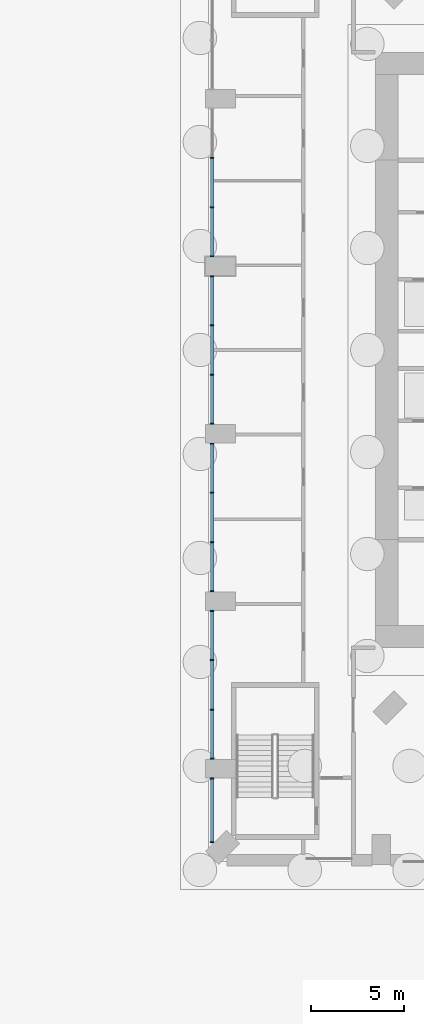
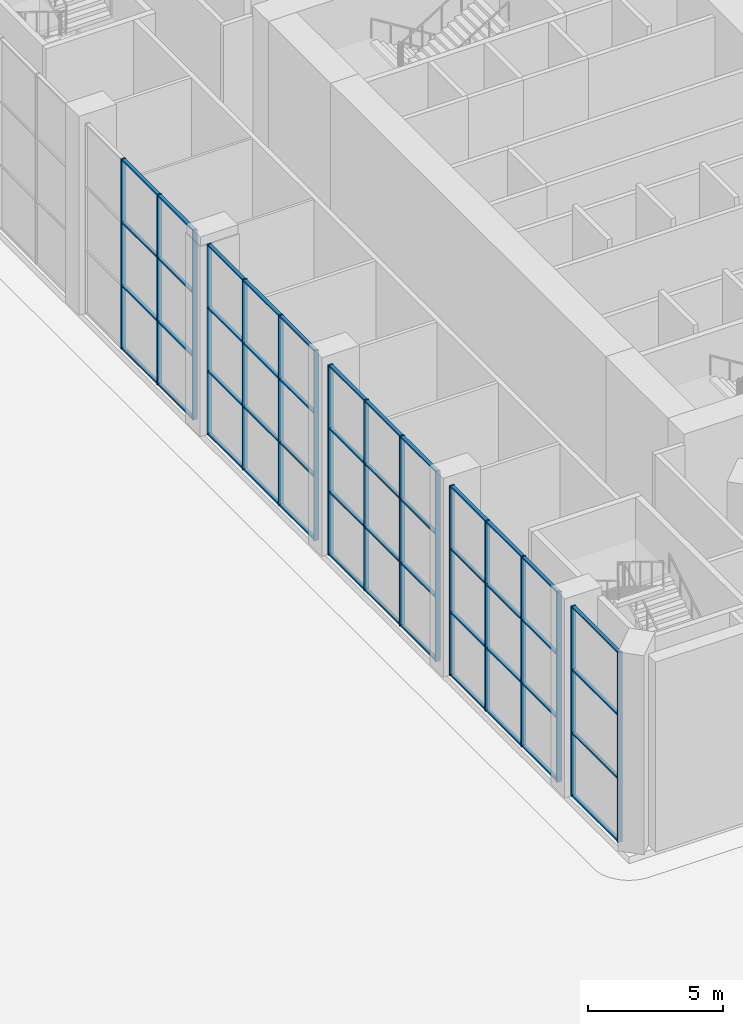
# One storey, part 2 of 25: 65 members, 5 elements without a shape of their own.
"""IFC4 building model written with IfcOpenShell, lengths in metres."""

from ifc_helpers import new_model, si_unit, direction, frame, origin, origin_2d, place, context, subcontext, project, spatial, rectangle, extrude, material, material_profile, profile_set, type_object, element, aggregate, save


model = new_model("IFC4")

# Units and contexts
model_context = context("Model", 3, precision=1e-05, world=origin(), true_north=direction((0.0, 1.0)))
body_context = subcontext(model_context, "Body", "Model", "MODEL_VIEW")
ifc_project = project(units=[si_unit("LENGTHUNIT", "METRE"), si_unit("AREAUNIT", "SQUARE_METRE"), si_unit("VOLUMEUNIT", "CUBIC_METRE"), si_unit("PLANEANGLEUNIT", "RADIAN"), si_unit("MASSUNIT", "GRAM", prefix="KILO")], contexts=[model_context])

# Site, building, storey
site_placement = place(None, origin())
site = spatial("IfcSite", under=ifc_project, at=site_placement, CompositionType="ELEMENT")
building_placement = place(site_placement, origin())
building = spatial("IfcBuilding", under=site, at=building_placement, Name="Cypress Arch Tower", CompositionType="ELEMENT")
storey_placement = place(building_placement, origin())
storey = spatial("IfcBuildingStorey", under=building, at=storey_placement, Name="L00", CompositionType="ELEMENT", Elevation=0.0)

# Curtain wall, members
ifc_material_1 = material(Name="Anodised aluminium, bronze finish, clear laminated low-emissivity double glazing", Category="aluminium")
curtain_wall_type = type_object("IfcCurtainWallType", Name="Curtain wall CW1 ground storefront", PredefinedType="NOTDEFINED", material=ifc_material_1)
curtain_wall_1_placement = place(storey_placement, origin())
curtain_wall_1 = element("IfcCurtainWall", 1, at=curtain_wall_1_placement, inside=storey, type_object=curtain_wall_type, Name="Curtain wall L00 P04.2.1", PredefinedType="NOTDEFINED")
ifc_material_2 = material(Name="Anodised aluminium, bronze finish", Category="aluminium")
ifc_material_profile_1 = material_profile(ifc_material_2, rectangle(XDim=0.199951171875, YDim=0.06494140625, at=origin_2d()), Name="Mullion 65x200")
ifc_profile_set_1 = profile_set([ifc_material_profile_1], Name="Anodised aluminium, bronze finish")
member_type_1 = type_object("IfcMemberType", Name="Mullion CW1 65x200", PredefinedType="MULLION", material=ifc_profile_set_1)
member_1_placement = place(storey_placement, frame((-38.800048828125, 10.333251953125, 0.0), z_axis=(0.0, 0.0, 1.0), x_axis=(1.0, 0.0, 0.0)))
member_1 = element("IfcMember", 2, at=member_1_placement, type_object=member_type_1, Name="CW1 mullion 2", PredefinedType="MULLION", context=body_context, shape_type="SweptSolid", body=[
    extrude(rectangle(XDim=0.199951171875, YDim=0.06494140625, at=origin_2d()), origin(), (0.0, 0.0, 1.0), 8.60009765625),
])
member_2_placement = place(storey_placement, frame((-38.800048828125, 7.666748046875, 0.0), z_axis=(0.0, 0.0, 1.0), x_axis=(1.0, 0.0, 0.0)))
member_2 = element("IfcMember", 3, at=member_2_placement, type_object=member_type_1, Name="CW1 mullion 3", PredefinedType="MULLION", context=body_context, shape_type="SweptSolid", body=[
    extrude(rectangle(XDim=0.199951171875, YDim=0.06494140625, at=origin_2d()), origin(), (0.0, 0.0, 1.0), 8.60009765625),
])
member_3_placement = place(storey_placement, frame((-38.800048828125, 5.032470703125, 0.0), z_axis=(0.0, 0.0, 1.0), x_axis=(1.0, 0.0, 0.0)))
member_3 = element("IfcMember", 4, at=member_3_placement, type_object=member_type_1, Name="CW1 mullion 4", PredefinedType="MULLION", context=body_context, shape_type="SweptSolid", body=[
    extrude(rectangle(XDim=0.199951171875, YDim=0.06494140625, at=origin_2d()), origin(), (0.0, 0.0, 1.0), 8.60009765625),
])

curtain_wall_2_placement = place(storey_placement, origin())
curtain_wall_2 = element("IfcCurtainWall", 5, at=curtain_wall_2_placement, inside=storey, type_object=curtain_wall_type, Name="Curtain wall L00 P04.3.1", PredefinedType="NOTDEFINED")
member_4_placement = place(storey_placement, frame((-38.800048828125, 3.967529296875, 0.0), z_axis=(0.0, 0.0, 1.0), x_axis=(1.0, 0.0, 0.0)))
member_4 = element("IfcMember", 6, at=member_4_placement, type_object=member_type_1, Name="CW1 mullion 1", PredefinedType="MULLION", context=body_context, shape_type="SweptSolid", body=[
    extrude(rectangle(XDim=0.199951171875, YDim=0.06494140625, at=origin_2d()), origin(), (0.0, 0.0, 1.0), 8.60009765625),
])
member_5_placement = place(storey_placement, frame((-38.800048828125, 1.333251953125, 0.0), z_axis=(0.0, 0.0, 1.0), x_axis=(1.0, 0.0, 0.0)))
member_5 = element("IfcMember", 7, at=member_5_placement, type_object=member_type_1, Name="CW1 mullion 2", PredefinedType="MULLION", context=body_context, shape_type="SweptSolid", body=[
    extrude(rectangle(XDim=0.199951171875, YDim=0.06494140625, at=origin_2d()), origin(), (0.0, 0.0, 1.0), 8.60009765625),
])
member_6_placement = place(storey_placement, frame((-38.800048828125, -1.333251953125, 0.0), z_axis=(0.0, 0.0, 1.0), x_axis=(1.0, 0.0, 0.0)))
member_6 = element("IfcMember", 8, at=member_6_placement, type_object=member_type_1, Name="CW1 mullion 3", PredefinedType="MULLION", context=body_context, shape_type="SweptSolid", body=[
    extrude(rectangle(XDim=0.199951171875, YDim=0.06494140625, at=origin_2d()), origin(), (0.0, 0.0, 1.0), 8.60009765625),
])
member_7_placement = place(storey_placement, frame((-38.800048828125, -3.967529296875, 0.0), z_axis=(0.0, 0.0, 1.0), x_axis=(1.0, 0.0, 0.0)))
member_7 = element("IfcMember", 9, at=member_7_placement, type_object=member_type_1, Name="CW1 mullion 4", PredefinedType="MULLION", context=body_context, shape_type="SweptSolid", body=[
    extrude(rectangle(XDim=0.199951171875, YDim=0.06494140625, at=origin_2d()), origin(), (0.0, 0.0, 1.0), 8.60009765625),
])

curtain_wall_3_placement = place(storey_placement, origin())
curtain_wall_3 = element("IfcCurtainWall", 10, at=curtain_wall_3_placement, inside=storey, type_object=curtain_wall_type, Name="Curtain wall L00 P04.4.1", PredefinedType="NOTDEFINED")
member_8_placement = place(storey_placement, frame((-38.800048828125, -5.032470703125, 0.0), z_axis=(0.0, 0.0, 1.0), x_axis=(1.0, 0.0, 0.0)))
member_8 = element("IfcMember", 11, at=member_8_placement, type_object=member_type_1, Name="CW1 mullion 1", PredefinedType="MULLION", context=body_context, shape_type="SweptSolid", body=[
    extrude(rectangle(XDim=0.199951171875, YDim=0.06494140625, at=origin_2d()), origin(), (0.0, 0.0, 1.0), 8.60009765625),
])
member_9_placement = place(storey_placement, frame((-38.800048828125, -7.666748046875, 0.0), z_axis=(0.0, 0.0, 1.0), x_axis=(1.0, 0.0, 0.0)))
member_9 = element("IfcMember", 12, at=member_9_placement, type_object=member_type_1, Name="CW1 mullion 2", PredefinedType="MULLION", context=body_context, shape_type="SweptSolid", body=[
    extrude(rectangle(XDim=0.199951171875, YDim=0.06494140625, at=origin_2d()), origin(), (0.0, 0.0, 1.0), 8.60009765625),
])
member_10_placement = place(storey_placement, frame((-38.800048828125, -10.333251953125, 0.0), z_axis=(0.0, 0.0, 1.0), x_axis=(1.0, 0.0, 0.0)))
member_10 = element("IfcMember", 13, at=member_10_placement, type_object=member_type_1, Name="CW1 mullion 3", PredefinedType="MULLION", context=body_context, shape_type="SweptSolid", body=[
    extrude(rectangle(XDim=0.199951171875, YDim=0.06494140625, at=origin_2d()), origin(), (0.0, 0.0, 1.0), 8.60009765625),
])
member_11_placement = place(storey_placement, frame((-38.800048828125, -12.967529296875, 0.0), z_axis=(0.0, 0.0, 1.0), x_axis=(1.0, 0.0, 0.0)))
member_11 = element("IfcMember", 14, at=member_11_placement, type_object=member_type_1, Name="CW1 mullion 4", PredefinedType="MULLION", context=body_context, shape_type="SweptSolid", body=[
    extrude(rectangle(XDim=0.199951171875, YDim=0.06494140625, at=origin_2d()), origin(), (0.0, 0.0, 1.0), 8.60009765625),
])

curtain_wall_4_placement = place(storey_placement, origin())
curtain_wall_4 = element("IfcCurtainWall", 15, at=curtain_wall_4_placement, inside=storey, type_object=curtain_wall_type, Name="Curtain wall L00 P04.5.1", PredefinedType="NOTDEFINED")
member_12_placement = place(storey_placement, frame((-38.800048828125, -14.032470703125, 0.0), z_axis=(0.0, 0.0, 1.0), x_axis=(1.0, 0.0, 0.0)))
member_12 = element("IfcMember", 16, at=member_12_placement, type_object=member_type_1, Name="CW1 mullion 1", PredefinedType="MULLION", context=body_context, shape_type="SweptSolid", body=[
    extrude(rectangle(XDim=0.199951171875, YDim=0.06494140625, at=origin_2d()), origin(), (0.0, 0.0, 1.0), 8.60009765625),
])
member_13_placement = place(storey_placement, frame((-38.800048828125, -16.666748046875, 0.0), z_axis=(0.0, 0.0, 1.0), x_axis=(1.0, 0.0, 0.0)))
member_13 = element("IfcMember", 17, at=member_13_placement, type_object=member_type_1, Name="CW1 mullion 2", PredefinedType="MULLION", context=body_context, shape_type="SweptSolid", body=[
    extrude(rectangle(XDim=0.199951171875, YDim=0.06494140625, at=origin_2d()), origin(), (0.0, 0.0, 1.0), 8.60009765625),
])
member_14_placement = place(storey_placement, frame((-38.800048828125, -19.333251953125, 0.0), z_axis=(0.0, 0.0, 1.0), x_axis=(1.0, 0.0, 0.0)))
member_14 = element("IfcMember", 18, at=member_14_placement, type_object=member_type_1, Name="CW1 mullion 3", PredefinedType="MULLION", context=body_context, shape_type="SweptSolid", body=[
    extrude(rectangle(XDim=0.199951171875, YDim=0.06494140625, at=origin_2d()), origin(), (0.0, 0.0, 1.0), 8.60009765625),
])
member_15_placement = place(storey_placement, frame((-38.800048828125, -21.967529296875, 0.0), z_axis=(0.0, 0.0, 1.0), x_axis=(1.0, 0.0, 0.0)))
member_15 = element("IfcMember", 19, at=member_15_placement, type_object=member_type_1, Name="CW1 mullion 4", PredefinedType="MULLION", context=body_context, shape_type="SweptSolid", body=[
    extrude(rectangle(XDim=0.199951171875, YDim=0.06494140625, at=origin_2d()), origin(), (0.0, 0.0, 1.0), 8.60009765625),
])

curtain_wall_5_placement = place(storey_placement, origin())
curtain_wall_5 = element("IfcCurtainWall", 20, at=curtain_wall_5_placement, inside=storey, type_object=curtain_wall_type, Name="Curtain wall L00 P04.6.1", PredefinedType="NOTDEFINED")
member_16_placement = place(storey_placement, frame((-38.800048828125, -23.032470703125, 0.0), z_axis=(0.0, 0.0, 1.0), x_axis=(1.0, 0.0, 0.0)))
member_16 = element("IfcMember", 21, at=member_16_placement, type_object=member_type_1, Name="CW1 mullion 1", PredefinedType="MULLION", context=body_context, shape_type="SweptSolid", body=[
    extrude(rectangle(XDim=0.199951171875, YDim=0.06494140625, at=origin_2d()), origin(), (0.0, 0.0, 1.0), 8.60009765625),
])
member_17_placement = place(storey_placement, frame((-38.800048828125, -26.46044921875, 0.0), z_axis=(0.0, 0.0, 1.0), x_axis=(1.0, 0.0, 0.0)))
member_17 = element("IfcMember", 22, at=member_17_placement, type_object=member_type_1, Name="CW1 mullion 2", PredefinedType="MULLION", context=body_context, shape_type="SweptSolid", body=[
    extrude(rectangle(XDim=0.199951171875, YDim=0.06494140625, at=origin_2d()), origin(), (0.0, 0.0, 1.0), 8.60009765625),
])

# Member
ifc_material_3 = material(Name="Anodised aluminium, bronze finish", Category="aluminium")
ifc_material_profile_2 = material_profile(ifc_material_3, rectangle(XDim=0.14990234375, YDim=0.06494140625, at=origin_2d()), Name="Transom 65x150")
ifc_profile_set_2 = profile_set([ifc_material_profile_2], Name="Anodised aluminium, bronze finish")
member_type_2 = type_object("IfcMemberType", Name="Transom CW1 65x150", PredefinedType="USERDEFINED", material=ifc_profile_set_2)
member_18_placement = place(storey_placement, frame((-38.800048828125, 10.30078125, 0.032470703125), z_axis=(0.0, -1.0, 0.0), x_axis=(1.0, 0.0, 0.0)))
member_18 = element("IfcMember", 23, at=member_18_placement, type_object=member_type_2, Name="CW1 transom 2.1", ObjectType="TRANSOM", PredefinedType="USERDEFINED", context=body_context, shape_type="SweptSolid", body=[
    extrude(rectangle(XDim=0.14990234375, YDim=0.06494140625, at=origin_2d()), origin(), (0.0, 0.0, 1.0), 2.6015625),
])

member_19_placement = place(storey_placement, frame((-38.800048828125, 10.30078125, 2.86669921875), z_axis=(0.0, -1.0, 0.0), x_axis=(1.0, 0.0, 0.0)))
member_19 = element("IfcMember", 24, at=member_19_placement, type_object=member_type_2, Name="CW1 transom 2.2", ObjectType="TRANSOM", PredefinedType="USERDEFINED", context=body_context, shape_type="SweptSolid", body=[
    extrude(rectangle(XDim=0.14990234375, YDim=0.06494140625, at=origin_2d()), origin(), (0.0, 0.0, 1.0), 2.6015625),
])

member_20_placement = place(storey_placement, frame((-38.800048828125, 10.30078125, 5.7333984375), z_axis=(0.0, -1.0, 0.0), x_axis=(1.0, 0.0, 0.0)))
member_20 = element("IfcMember", 25, at=member_20_placement, type_object=member_type_2, Name="CW1 transom 2.3", ObjectType="TRANSOM", PredefinedType="USERDEFINED", context=body_context, shape_type="SweptSolid", body=[
    extrude(rectangle(XDim=0.14990234375, YDim=0.06494140625, at=origin_2d()), origin(), (0.0, 0.0, 1.0), 2.6015625),
])

member_21_placement = place(storey_placement, frame((-38.800048828125, 10.30078125, 8.5673828125), z_axis=(0.0, -1.0, 0.0), x_axis=(1.0, 0.0, 0.0)))
member_21 = element("IfcMember", 26, at=member_21_placement, type_object=member_type_2, Name="CW1 transom 2.4", ObjectType="TRANSOM", PredefinedType="USERDEFINED", context=body_context, shape_type="SweptSolid", body=[
    extrude(rectangle(XDim=0.14990234375, YDim=0.06494140625, at=origin_2d()), origin(), (0.0, 0.0, 1.0), 2.6015625),
])

member_22_placement = place(storey_placement, frame((-38.800048828125, 7.63427734375, 0.032470703125), z_axis=(0.0, -1.0, 0.0), x_axis=(1.0, 0.0, 0.0)))
member_22 = element("IfcMember", 27, at=member_22_placement, type_object=member_type_2, Name="CW1 transom 3.1", ObjectType="TRANSOM", PredefinedType="USERDEFINED", context=body_context, shape_type="SweptSolid", body=[
    extrude(rectangle(XDim=0.14990234375, YDim=0.06494140625, at=origin_2d()), origin(), (0.0, 0.0, 1.0), 2.5693359375),
])

member_23_placement = place(storey_placement, frame((-38.800048828125, 7.63427734375, 2.86669921875), z_axis=(0.0, -1.0, 0.0), x_axis=(1.0, 0.0, 0.0)))
member_23 = element("IfcMember", 28, at=member_23_placement, type_object=member_type_2, Name="CW1 transom 3.2", ObjectType="TRANSOM", PredefinedType="USERDEFINED", context=body_context, shape_type="SweptSolid", body=[
    extrude(rectangle(XDim=0.14990234375, YDim=0.06494140625, at=origin_2d()), origin(), (0.0, 0.0, 1.0), 2.5693359375),
])

member_24_placement = place(storey_placement, frame((-38.800048828125, 7.63427734375, 5.7333984375), z_axis=(0.0, -1.0, 0.0), x_axis=(1.0, 0.0, 0.0)))
member_24 = element("IfcMember", 29, at=member_24_placement, type_object=member_type_2, Name="CW1 transom 3.3", ObjectType="TRANSOM", PredefinedType="USERDEFINED", context=body_context, shape_type="SweptSolid", body=[
    extrude(rectangle(XDim=0.14990234375, YDim=0.06494140625, at=origin_2d()), origin(), (0.0, 0.0, 1.0), 2.5693359375),
])

member_25_placement = place(storey_placement, frame((-38.800048828125, 7.63427734375, 8.5673828125), z_axis=(0.0, -1.0, 0.0), x_axis=(1.0, 0.0, 0.0)))
member_25 = element("IfcMember", 30, at=member_25_placement, type_object=member_type_2, Name="CW1 transom 3.4", ObjectType="TRANSOM", PredefinedType="USERDEFINED", context=body_context, shape_type="SweptSolid", body=[
    extrude(rectangle(XDim=0.14990234375, YDim=0.06494140625, at=origin_2d()), origin(), (0.0, 0.0, 1.0), 2.5693359375),
])

aggregate(curtain_wall_1, [member_1, member_2, member_3, member_18, member_19, member_20, member_21, member_22, member_23, member_24, member_25])

member_26_placement = place(storey_placement, frame((-38.800048828125, 3.93505859375, 0.032470703125), z_axis=(0.0, -1.0, 0.0), x_axis=(1.0, 0.0, 0.0)))
member_26 = element("IfcMember", 31, at=member_26_placement, type_object=member_type_2, Name="CW1 transom 1.1", ObjectType="TRANSOM", PredefinedType="USERDEFINED", context=body_context, shape_type="SweptSolid", body=[
    extrude(rectangle(XDim=0.14990234375, YDim=0.06494140625, at=origin_2d()), origin(), (0.0, 0.0, 1.0), 2.5693359375),
])

member_27_placement = place(storey_placement, frame((-38.800048828125, 3.93505859375, 2.86669921875), z_axis=(0.0, -1.0, 0.0), x_axis=(1.0, 0.0, 0.0)))
member_27 = element("IfcMember", 32, at=member_27_placement, type_object=member_type_2, Name="CW1 transom 1.2", ObjectType="TRANSOM", PredefinedType="USERDEFINED", context=body_context, shape_type="SweptSolid", body=[
    extrude(rectangle(XDim=0.14990234375, YDim=0.06494140625, at=origin_2d()), origin(), (0.0, 0.0, 1.0), 2.5693359375),
])

member_28_placement = place(storey_placement, frame((-38.800048828125, 3.93505859375, 5.7333984375), z_axis=(0.0, -1.0, 0.0), x_axis=(1.0, 0.0, 0.0)))
member_28 = element("IfcMember", 33, at=member_28_placement, type_object=member_type_2, Name="CW1 transom 1.3", ObjectType="TRANSOM", PredefinedType="USERDEFINED", context=body_context, shape_type="SweptSolid", body=[
    extrude(rectangle(XDim=0.14990234375, YDim=0.06494140625, at=origin_2d()), origin(), (0.0, 0.0, 1.0), 2.5693359375),
])

member_29_placement = place(storey_placement, frame((-38.800048828125, 3.93505859375, 8.5673828125), z_axis=(0.0, -1.0, 0.0), x_axis=(1.0, 0.0, 0.0)))
member_29 = element("IfcMember", 34, at=member_29_placement, type_object=member_type_2, Name="CW1 transom 1.4", ObjectType="TRANSOM", PredefinedType="USERDEFINED", context=body_context, shape_type="SweptSolid", body=[
    extrude(rectangle(XDim=0.14990234375, YDim=0.06494140625, at=origin_2d()), origin(), (0.0, 0.0, 1.0), 2.5693359375),
])

member_30_placement = place(storey_placement, frame((-38.800048828125, 1.30078125, 0.032470703125), z_axis=(0.0, -1.0, 0.0), x_axis=(1.0, 0.0, 0.0)))
member_30 = element("IfcMember", 35, at=member_30_placement, type_object=member_type_2, Name="CW1 transom 2.1", ObjectType="TRANSOM", PredefinedType="USERDEFINED", context=body_context, shape_type="SweptSolid", body=[
    extrude(rectangle(XDim=0.14990234375, YDim=0.06494140625, at=origin_2d()), origin(), (0.0, 0.0, 1.0), 2.6015625),
])

member_31_placement = place(storey_placement, frame((-38.800048828125, 1.30078125, 2.86669921875), z_axis=(0.0, -1.0, 0.0), x_axis=(1.0, 0.0, 0.0)))
member_31 = element("IfcMember", 36, at=member_31_placement, type_object=member_type_2, Name="CW1 transom 2.2", ObjectType="TRANSOM", PredefinedType="USERDEFINED", context=body_context, shape_type="SweptSolid", body=[
    extrude(rectangle(XDim=0.14990234375, YDim=0.06494140625, at=origin_2d()), origin(), (0.0, 0.0, 1.0), 2.6015625),
])

member_32_placement = place(storey_placement, frame((-38.800048828125, 1.30078125, 5.7333984375), z_axis=(0.0, -1.0, 0.0), x_axis=(1.0, 0.0, 0.0)))
member_32 = element("IfcMember", 37, at=member_32_placement, type_object=member_type_2, Name="CW1 transom 2.3", ObjectType="TRANSOM", PredefinedType="USERDEFINED", context=body_context, shape_type="SweptSolid", body=[
    extrude(rectangle(XDim=0.14990234375, YDim=0.06494140625, at=origin_2d()), origin(), (0.0, 0.0, 1.0), 2.6015625),
])

member_33_placement = place(storey_placement, frame((-38.800048828125, 1.30078125, 8.5673828125), z_axis=(0.0, -1.0, 0.0), x_axis=(1.0, 0.0, 0.0)))
member_33 = element("IfcMember", 38, at=member_33_placement, type_object=member_type_2, Name="CW1 transom 2.4", ObjectType="TRANSOM", PredefinedType="USERDEFINED", context=body_context, shape_type="SweptSolid", body=[
    extrude(rectangle(XDim=0.14990234375, YDim=0.06494140625, at=origin_2d()), origin(), (0.0, 0.0, 1.0), 2.6015625),
])

member_34_placement = place(storey_placement, frame((-38.800048828125, -1.36572265625, 0.032470703125), z_axis=(0.0, -1.0, 0.0), x_axis=(1.0, 0.0, 0.0)))
member_34 = element("IfcMember", 39, at=member_34_placement, type_object=member_type_2, Name="CW1 transom 3.1", ObjectType="TRANSOM", PredefinedType="USERDEFINED", context=body_context, shape_type="SweptSolid", body=[
    extrude(rectangle(XDim=0.14990234375, YDim=0.06494140625, at=origin_2d()), origin(), (0.0, 0.0, 1.0), 2.5693359375),
])

member_35_placement = place(storey_placement, frame((-38.800048828125, -1.36572265625, 2.86669921875), z_axis=(0.0, -1.0, 0.0), x_axis=(1.0, 0.0, 0.0)))
member_35 = element("IfcMember", 40, at=member_35_placement, type_object=member_type_2, Name="CW1 transom 3.2", ObjectType="TRANSOM", PredefinedType="USERDEFINED", context=body_context, shape_type="SweptSolid", body=[
    extrude(rectangle(XDim=0.14990234375, YDim=0.06494140625, at=origin_2d()), origin(), (0.0, 0.0, 1.0), 2.5693359375),
])

member_36_placement = place(storey_placement, frame((-38.800048828125, -1.36572265625, 5.7333984375), z_axis=(0.0, -1.0, 0.0), x_axis=(1.0, 0.0, 0.0)))
member_36 = element("IfcMember", 41, at=member_36_placement, type_object=member_type_2, Name="CW1 transom 3.3", ObjectType="TRANSOM", PredefinedType="USERDEFINED", context=body_context, shape_type="SweptSolid", body=[
    extrude(rectangle(XDim=0.14990234375, YDim=0.06494140625, at=origin_2d()), origin(), (0.0, 0.0, 1.0), 2.5693359375),
])

member_37_placement = place(storey_placement, frame((-38.800048828125, -1.36572265625, 8.5673828125), z_axis=(0.0, -1.0, 0.0), x_axis=(1.0, 0.0, 0.0)))
member_37 = element("IfcMember", 42, at=member_37_placement, type_object=member_type_2, Name="CW1 transom 3.4", ObjectType="TRANSOM", PredefinedType="USERDEFINED", context=body_context, shape_type="SweptSolid", body=[
    extrude(rectangle(XDim=0.14990234375, YDim=0.06494140625, at=origin_2d()), origin(), (0.0, 0.0, 1.0), 2.5693359375),
])

aggregate(curtain_wall_2, [member_4, member_5, member_6, member_7, member_26, member_27, member_28, member_29, member_30, member_31, member_32, member_33, member_34, member_35, member_36, member_37])

member_38_placement = place(storey_placement, frame((-38.800048828125, -5.06494140625, 0.032470703125), z_axis=(0.0, -1.0, 0.0), x_axis=(1.0, 0.0, 0.0)))
member_38 = element("IfcMember", 43, at=member_38_placement, type_object=member_type_2, Name="CW1 transom 1.1", ObjectType="TRANSOM", PredefinedType="USERDEFINED", context=body_context, shape_type="SweptSolid", body=[
    extrude(rectangle(XDim=0.14990234375, YDim=0.06494140625, at=origin_2d()), origin(), (0.0, 0.0, 1.0), 2.5693359375),
])

member_39_placement = place(storey_placement, frame((-38.800048828125, -5.06494140625, 2.86669921875), z_axis=(0.0, -1.0, 0.0), x_axis=(1.0, 0.0, 0.0)))
member_39 = element("IfcMember", 44, at=member_39_placement, type_object=member_type_2, Name="CW1 transom 1.2", ObjectType="TRANSOM", PredefinedType="USERDEFINED", context=body_context, shape_type="SweptSolid", body=[
    extrude(rectangle(XDim=0.14990234375, YDim=0.06494140625, at=origin_2d()), origin(), (0.0, 0.0, 1.0), 2.5693359375),
])

member_40_placement = place(storey_placement, frame((-38.800048828125, -5.06494140625, 5.7333984375), z_axis=(0.0, -1.0, 0.0), x_axis=(1.0, 0.0, 0.0)))
member_40 = element("IfcMember", 45, at=member_40_placement, type_object=member_type_2, Name="CW1 transom 1.3", ObjectType="TRANSOM", PredefinedType="USERDEFINED", context=body_context, shape_type="SweptSolid", body=[
    extrude(rectangle(XDim=0.14990234375, YDim=0.06494140625, at=origin_2d()), origin(), (0.0, 0.0, 1.0), 2.5693359375),
])

member_41_placement = place(storey_placement, frame((-38.800048828125, -5.06494140625, 8.5673828125), z_axis=(0.0, -1.0, 0.0), x_axis=(1.0, 0.0, 0.0)))
member_41 = element("IfcMember", 46, at=member_41_placement, type_object=member_type_2, Name="CW1 transom 1.4", ObjectType="TRANSOM", PredefinedType="USERDEFINED", context=body_context, shape_type="SweptSolid", body=[
    extrude(rectangle(XDim=0.14990234375, YDim=0.06494140625, at=origin_2d()), origin(), (0.0, 0.0, 1.0), 2.5693359375),
])

member_42_placement = place(storey_placement, frame((-38.800048828125, -7.69921875, 0.032470703125), z_axis=(0.0, -1.0, 0.0), x_axis=(1.0, 0.0, 0.0)))
member_42 = element("IfcMember", 47, at=member_42_placement, type_object=member_type_2, Name="CW1 transom 2.1", ObjectType="TRANSOM", PredefinedType="USERDEFINED", context=body_context, shape_type="SweptSolid", body=[
    extrude(rectangle(XDim=0.14990234375, YDim=0.06494140625, at=origin_2d()), origin(), (0.0, 0.0, 1.0), 2.6015625),
])

member_43_placement = place(storey_placement, frame((-38.800048828125, -7.69921875, 2.86669921875), z_axis=(0.0, -1.0, 0.0), x_axis=(1.0, 0.0, 0.0)))
member_43 = element("IfcMember", 48, at=member_43_placement, type_object=member_type_2, Name="CW1 transom 2.2", ObjectType="TRANSOM", PredefinedType="USERDEFINED", context=body_context, shape_type="SweptSolid", body=[
    extrude(rectangle(XDim=0.14990234375, YDim=0.06494140625, at=origin_2d()), origin(), (0.0, 0.0, 1.0), 2.6015625),
])

member_44_placement = place(storey_placement, frame((-38.800048828125, -7.69921875, 5.7333984375), z_axis=(0.0, -1.0, 0.0), x_axis=(1.0, 0.0, 0.0)))
member_44 = element("IfcMember", 49, at=member_44_placement, type_object=member_type_2, Name="CW1 transom 2.3", ObjectType="TRANSOM", PredefinedType="USERDEFINED", context=body_context, shape_type="SweptSolid", body=[
    extrude(rectangle(XDim=0.14990234375, YDim=0.06494140625, at=origin_2d()), origin(), (0.0, 0.0, 1.0), 2.6015625),
])

member_45_placement = place(storey_placement, frame((-38.800048828125, -7.69921875, 8.5673828125), z_axis=(0.0, -1.0, 0.0), x_axis=(1.0, 0.0, 0.0)))
member_45 = element("IfcMember", 50, at=member_45_placement, type_object=member_type_2, Name="CW1 transom 2.4", ObjectType="TRANSOM", PredefinedType="USERDEFINED", context=body_context, shape_type="SweptSolid", body=[
    extrude(rectangle(XDim=0.14990234375, YDim=0.06494140625, at=origin_2d()), origin(), (0.0, 0.0, 1.0), 2.6015625),
])

member_46_placement = place(storey_placement, frame((-38.800048828125, -10.36572265625, 0.032470703125), z_axis=(0.0, -1.0, 0.0), x_axis=(1.0, 0.0, 0.0)))
member_46 = element("IfcMember", 51, at=member_46_placement, type_object=member_type_2, Name="CW1 transom 3.1", ObjectType="TRANSOM", PredefinedType="USERDEFINED", context=body_context, shape_type="SweptSolid", body=[
    extrude(rectangle(XDim=0.14990234375, YDim=0.06494140625, at=origin_2d()), origin(), (0.0, 0.0, 1.0), 2.5693359375),
])

member_47_placement = place(storey_placement, frame((-38.800048828125, -10.36572265625, 2.86669921875), z_axis=(0.0, -1.0, 0.0), x_axis=(1.0, 0.0, 0.0)))
member_47 = element("IfcMember", 52, at=member_47_placement, type_object=member_type_2, Name="CW1 transom 3.2", ObjectType="TRANSOM", PredefinedType="USERDEFINED", context=body_context, shape_type="SweptSolid", body=[
    extrude(rectangle(XDim=0.14990234375, YDim=0.06494140625, at=origin_2d()), origin(), (0.0, 0.0, 1.0), 2.5693359375),
])

member_48_placement = place(storey_placement, frame((-38.800048828125, -10.36572265625, 5.7333984375), z_axis=(0.0, -1.0, 0.0), x_axis=(1.0, 0.0, 0.0)))
member_48 = element("IfcMember", 53, at=member_48_placement, type_object=member_type_2, Name="CW1 transom 3.3", ObjectType="TRANSOM", PredefinedType="USERDEFINED", context=body_context, shape_type="SweptSolid", body=[
    extrude(rectangle(XDim=0.14990234375, YDim=0.06494140625, at=origin_2d()), origin(), (0.0, 0.0, 1.0), 2.5693359375),
])

member_49_placement = place(storey_placement, frame((-38.800048828125, -10.36572265625, 8.5673828125), z_axis=(0.0, -1.0, 0.0), x_axis=(1.0, 0.0, 0.0)))
member_49 = element("IfcMember", 54, at=member_49_placement, type_object=member_type_2, Name="CW1 transom 3.4", ObjectType="TRANSOM", PredefinedType="USERDEFINED", context=body_context, shape_type="SweptSolid", body=[
    extrude(rectangle(XDim=0.14990234375, YDim=0.06494140625, at=origin_2d()), origin(), (0.0, 0.0, 1.0), 2.5693359375),
])

aggregate(curtain_wall_3, [member_8, member_9, member_10, member_11, member_38, member_39, member_40, member_41, member_42, member_43, member_44, member_45, member_46, member_47, member_48, member_49])

member_50_placement = place(storey_placement, frame((-38.800048828125, -14.06494140625, 0.032470703125), z_axis=(0.0, -1.0, 0.0), x_axis=(1.0, 0.0, 0.0)))
member_50 = element("IfcMember", 55, at=member_50_placement, type_object=member_type_2, Name="CW1 transom 1.1", ObjectType="TRANSOM", PredefinedType="USERDEFINED", context=body_context, shape_type="SweptSolid", body=[
    extrude(rectangle(XDim=0.14990234375, YDim=0.06494140625, at=origin_2d()), origin(), (0.0, 0.0, 1.0), 2.5693359375),
])

member_51_placement = place(storey_placement, frame((-38.800048828125, -14.06494140625, 2.86669921875), z_axis=(0.0, -1.0, 0.0), x_axis=(1.0, 0.0, 0.0)))
member_51 = element("IfcMember", 56, at=member_51_placement, type_object=member_type_2, Name="CW1 transom 1.2", ObjectType="TRANSOM", PredefinedType="USERDEFINED", context=body_context, shape_type="SweptSolid", body=[
    extrude(rectangle(XDim=0.14990234375, YDim=0.06494140625, at=origin_2d()), origin(), (0.0, 0.0, 1.0), 2.5693359375),
])

member_52_placement = place(storey_placement, frame((-38.800048828125, -14.06494140625, 5.7333984375), z_axis=(0.0, -1.0, 0.0), x_axis=(1.0, 0.0, 0.0)))
member_52 = element("IfcMember", 57, at=member_52_placement, type_object=member_type_2, Name="CW1 transom 1.3", ObjectType="TRANSOM", PredefinedType="USERDEFINED", context=body_context, shape_type="SweptSolid", body=[
    extrude(rectangle(XDim=0.14990234375, YDim=0.06494140625, at=origin_2d()), origin(), (0.0, 0.0, 1.0), 2.5693359375),
])

member_53_placement = place(storey_placement, frame((-38.800048828125, -14.06494140625, 8.5673828125), z_axis=(0.0, -1.0, 0.0), x_axis=(1.0, 0.0, 0.0)))
member_53 = element("IfcMember", 58, at=member_53_placement, type_object=member_type_2, Name="CW1 transom 1.4", ObjectType="TRANSOM", PredefinedType="USERDEFINED", context=body_context, shape_type="SweptSolid", body=[
    extrude(rectangle(XDim=0.14990234375, YDim=0.06494140625, at=origin_2d()), origin(), (0.0, 0.0, 1.0), 2.5693359375),
])

member_54_placement = place(storey_placement, frame((-38.800048828125, -16.69921875, 0.032470703125), z_axis=(0.0, -1.0, 0.0), x_axis=(1.0, 0.0, 0.0)))
member_54 = element("IfcMember", 59, at=member_54_placement, type_object=member_type_2, Name="CW1 transom 2.1", ObjectType="TRANSOM", PredefinedType="USERDEFINED", context=body_context, shape_type="SweptSolid", body=[
    extrude(rectangle(XDim=0.14990234375, YDim=0.06494140625, at=origin_2d()), origin(), (0.0, 0.0, 1.0), 2.6015625),
])

member_55_placement = place(storey_placement, frame((-38.800048828125, -16.69921875, 2.86669921875), z_axis=(0.0, -1.0, 0.0), x_axis=(1.0, 0.0, 0.0)))
member_55 = element("IfcMember", 60, at=member_55_placement, type_object=member_type_2, Name="CW1 transom 2.2", ObjectType="TRANSOM", PredefinedType="USERDEFINED", context=body_context, shape_type="SweptSolid", body=[
    extrude(rectangle(XDim=0.14990234375, YDim=0.06494140625, at=origin_2d()), origin(), (0.0, 0.0, 1.0), 2.6015625),
])

member_56_placement = place(storey_placement, frame((-38.800048828125, -16.69921875, 5.7333984375), z_axis=(0.0, -1.0, 0.0), x_axis=(1.0, 0.0, 0.0)))
member_56 = element("IfcMember", 61, at=member_56_placement, type_object=member_type_2, Name="CW1 transom 2.3", ObjectType="TRANSOM", PredefinedType="USERDEFINED", context=body_context, shape_type="SweptSolid", body=[
    extrude(rectangle(XDim=0.14990234375, YDim=0.06494140625, at=origin_2d()), origin(), (0.0, 0.0, 1.0), 2.6015625),
])

member_57_placement = place(storey_placement, frame((-38.800048828125, -16.69921875, 8.5673828125), z_axis=(0.0, -1.0, 0.0), x_axis=(1.0, 0.0, 0.0)))
member_57 = element("IfcMember", 62, at=member_57_placement, type_object=member_type_2, Name="CW1 transom 2.4", ObjectType="TRANSOM", PredefinedType="USERDEFINED", context=body_context, shape_type="SweptSolid", body=[
    extrude(rectangle(XDim=0.14990234375, YDim=0.06494140625, at=origin_2d()), origin(), (0.0, 0.0, 1.0), 2.6015625),
])

member_58_placement = place(storey_placement, frame((-38.800048828125, -19.36572265625, 0.032470703125), z_axis=(0.0, -1.0, 0.0), x_axis=(1.0, 0.0, 0.0)))
member_58 = element("IfcMember", 63, at=member_58_placement, type_object=member_type_2, Name="CW1 transom 3.1", ObjectType="TRANSOM", PredefinedType="USERDEFINED", context=body_context, shape_type="SweptSolid", body=[
    extrude(rectangle(XDim=0.14990234375, YDim=0.06494140625, at=origin_2d()), origin(), (0.0, 0.0, 1.0), 2.5693359375),
])

member_59_placement = place(storey_placement, frame((-38.800048828125, -19.36572265625, 2.86669921875), z_axis=(0.0, -1.0, 0.0), x_axis=(1.0, 0.0, 0.0)))
member_59 = element("IfcMember", 64, at=member_59_placement, type_object=member_type_2, Name="CW1 transom 3.2", ObjectType="TRANSOM", PredefinedType="USERDEFINED", context=body_context, shape_type="SweptSolid", body=[
    extrude(rectangle(XDim=0.14990234375, YDim=0.06494140625, at=origin_2d()), origin(), (0.0, 0.0, 1.0), 2.5693359375),
])

member_60_placement = place(storey_placement, frame((-38.800048828125, -19.36572265625, 5.7333984375), z_axis=(0.0, -1.0, 0.0), x_axis=(1.0, 0.0, 0.0)))
member_60 = element("IfcMember", 65, at=member_60_placement, type_object=member_type_2, Name="CW1 transom 3.3", ObjectType="TRANSOM", PredefinedType="USERDEFINED", context=body_context, shape_type="SweptSolid", body=[
    extrude(rectangle(XDim=0.14990234375, YDim=0.06494140625, at=origin_2d()), origin(), (0.0, 0.0, 1.0), 2.5693359375),
])

member_61_placement = place(storey_placement, frame((-38.800048828125, -19.36572265625, 8.5673828125), z_axis=(0.0, -1.0, 0.0), x_axis=(1.0, 0.0, 0.0)))
member_61 = element("IfcMember", 66, at=member_61_placement, type_object=member_type_2, Name="CW1 transom 3.4", ObjectType="TRANSOM", PredefinedType="USERDEFINED", context=body_context, shape_type="SweptSolid", body=[
    extrude(rectangle(XDim=0.14990234375, YDim=0.06494140625, at=origin_2d()), origin(), (0.0, 0.0, 1.0), 2.5693359375),
])

aggregate(curtain_wall_4, [member_12, member_13, member_14, member_15, member_50, member_51, member_52, member_53, member_54, member_55, member_56, member_57, member_58, member_59, member_60, member_61])

member_62_placement = place(storey_placement, frame((-38.800048828125, -23.06494140625, 0.032470703125), z_axis=(0.0, -1.0, 0.0), x_axis=(1.0, 0.0, 0.0)))
member_62 = element("IfcMember", 67, at=member_62_placement, type_object=member_type_2, Name="CW1 transom 1.1", ObjectType="TRANSOM", PredefinedType="USERDEFINED", context=body_context, shape_type="SweptSolid", body=[
    extrude(rectangle(XDim=0.14990234375, YDim=0.06494140625, at=origin_2d()), origin(), (0.0, 0.0, 1.0), 3.363037109375),
])

member_63_placement = place(storey_placement, frame((-38.800048828125, -23.06494140625, 2.86669921875), z_axis=(0.0, -1.0, 0.0), x_axis=(1.0, 0.0, 0.0)))
member_63 = element("IfcMember", 68, at=member_63_placement, type_object=member_type_2, Name="CW1 transom 1.2", ObjectType="TRANSOM", PredefinedType="USERDEFINED", context=body_context, shape_type="SweptSolid", body=[
    extrude(rectangle(XDim=0.14990234375, YDim=0.06494140625, at=origin_2d()), origin(), (0.0, 0.0, 1.0), 3.363037109375),
])

member_64_placement = place(storey_placement, frame((-38.800048828125, -23.06494140625, 5.7333984375), z_axis=(0.0, -1.0, 0.0), x_axis=(1.0, 0.0, 0.0)))
member_64 = element("IfcMember", 69, at=member_64_placement, type_object=member_type_2, Name="CW1 transom 1.3", ObjectType="TRANSOM", PredefinedType="USERDEFINED", context=body_context, shape_type="SweptSolid", body=[
    extrude(rectangle(XDim=0.14990234375, YDim=0.06494140625, at=origin_2d()), origin(), (0.0, 0.0, 1.0), 3.363037109375),
])

member_65_placement = place(storey_placement, frame((-38.800048828125, -23.06494140625, 8.5673828125), z_axis=(0.0, -1.0, 0.0), x_axis=(1.0, 0.0, 0.0)))
member_65 = element("IfcMember", 70, at=member_65_placement, type_object=member_type_2, Name="CW1 transom 1.4", ObjectType="TRANSOM", PredefinedType="USERDEFINED", context=body_context, shape_type="SweptSolid", body=[
    extrude(rectangle(XDim=0.14990234375, YDim=0.06494140625, at=origin_2d()), origin(), (0.0, 0.0, 1.0), 3.363037109375),
])

aggregate(curtain_wall_5, [member_16, member_17, member_62, member_63, member_64, member_65])

save(model, "model.ifc")
